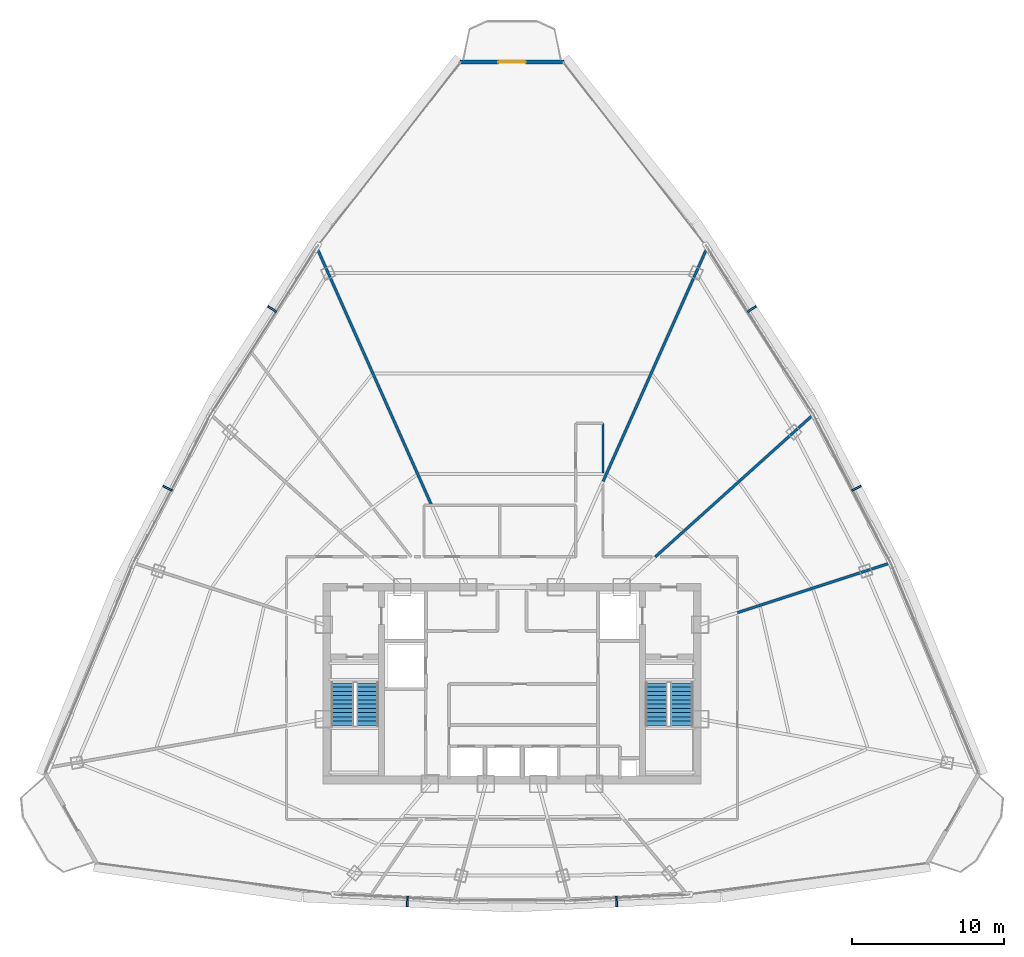
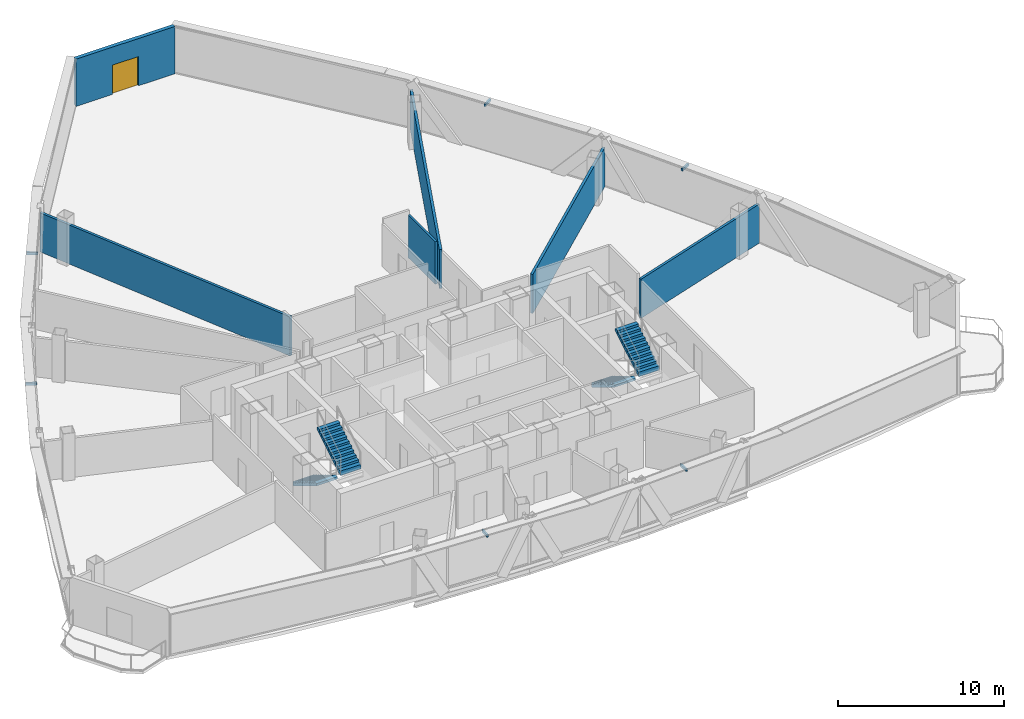
# One storey, part 32 of 35: 6 discrete accessories, 6 walls, 4 stair flights, 1 door, 1 opening, 2 elements without a shape of their own.
"""IFC4 building model written with IfcOpenShell, lengths in metres."""

import ifcopenshell
import ifcopenshell.guid

model = None  # the IFC model being written
_history = None  # IfcOwnerHistory: only IFC2X3 demands one
_inside = {}  # id of a spatial element -> (the spatial element, [elements in it])
_under = {}  # id of a project, library or spatial element -> (it, [spatial elements below it])
_declared = {}  # id of a project -> (the project, [libraries it declares])
_typed = {}  # id of a type object -> (the type object, [elements of that type])
_made_of = {}  # id of a material, layer set ... -> (it, [elements and type objects made of it])


def new_model(schema):
    """Start an empty IFC model of exactly this schema.

    Asked for "IFC4X3", IfcOpenShell would pick the latest addendum, in which some entities
    have other attributes; the version numbers below select the first issue.
    IFC2X3 requires an IfcOwnerHistory on every rooted entity: one is made here for all.
    """
    global model, _history
    if schema == "IFC4X3":
        model = ifcopenshell.file(schema_version=(4, 3, 0, 0))
    else:
        model = ifcopenshell.file(schema=schema)
    _inside.clear()
    _under.clear()
    _declared.clear()
    _typed.clear()
    _made_of.clear()
    _history = None
    if model.schema == "IFC2X3":
        org = make("IfcOrganization", Name="unknown")
        user = make(
            "IfcPersonAndOrganization",
            ThePerson=make("IfcPerson", FamilyName="unknown"),
            TheOrganization=org,
        )
        app = make(
            "IfcApplication",
            ApplicationDeveloper=org,
            Version="unknown",
            ApplicationFullName="unknown",
            ApplicationIdentifier="unknown",
        )
        _history = make(
            "IfcOwnerHistory",
            OwningUser=user,
            OwningApplication=app,
            ChangeAction="ADDED",
            CreationDate=0,
        )
    return model


def make(cls, **values):
    """One entity of the class cls with the attributes given. An attribute that is None is left unset."""
    return model.create_entity(
        cls, **{name: value for name, value in values.items() if value is not None}
    )


def rooted(cls, **values):
    """An entity with a GlobalId (a new one), such as an element, a storey or a relation."""
    return make(cls, GlobalId=ifcopenshell.guid.new(), OwnerHistory=_history, **values)


def si_unit(unit_type, name, prefix=None):
    """IfcSIUnit, for example si_unit("LENGTHUNIT", "METRE", prefix="MILLI")."""
    return make("IfcSIUnit", UnitType=unit_type, Prefix=prefix, Name=name)


def assignment(units):
    """IfcUnitAssignment: the units of a project."""
    return None if units is None else make("IfcUnitAssignment", Units=units)


def point(xyz):
    """IfcCartesianPoint."""
    return None if xyz is None else make("IfcCartesianPoint", Coordinates=xyz)


def direction(xyz):
    """IfcDirection."""
    return None if xyz is None else make("IfcDirection", DirectionRatios=xyz)


def frame(location, z_axis=None, x_axis=None):
    """IfcAxis2Placement3D, a coordinate frame: its origin and axes. An axis left out is left unset."""
    return make(
        "IfcAxis2Placement3D",
        Location=point(location),
        Axis=direction(z_axis),
        RefDirection=direction(x_axis),
    )


def frame_2d(location, x_axis=None):
    """IfcAxis2Placement2D, a coordinate frame in the plane: its origin and x axis."""
    return make(
        "IfcAxis2Placement2D", Location=point(location), RefDirection=direction(x_axis)
    )


def origin():
    """The frame at (0, 0, 0) with its axes left unset."""
    return frame((0.0, 0.0, 0.0))


def origin_with_axes():
    """The frame at (0, 0, 0) with the z axis (0, 0, 1) and the x axis (1, 0, 0) written out."""
    return frame((0.0, 0.0, 0.0), z_axis=(0.0, 0.0, 1.0), x_axis=(1.0, 0.0, 0.0))


def origin_2d():
    """The frame at (0, 0) in the plane with its x axis left unset."""
    return frame_2d((0.0, 0.0))


def place(relative_to, where):
    """IfcLocalPlacement: puts the frame where relative to a parent placement (None: the world)."""
    return make(
        "IfcLocalPlacement", PlacementRelTo=relative_to, RelativePlacement=where
    )


def context(
    kind, dimensions, precision=None, world=None, true_north=None, identifier=None
):
    """IfcGeometricRepresentationContext, for example the 3D "Model" context."""
    return make(
        "IfcGeometricRepresentationContext",
        ContextIdentifier=identifier,
        ContextType=kind,
        CoordinateSpaceDimension=dimensions,
        Precision=precision,
        WorldCoordinateSystem=world,
        TrueNorth=true_north,
    )


def subcontext(parent, identifier, kind, view, scale=None):
    """IfcGeometricRepresentationSubContext, for example "Body" below "Model"."""
    return make(
        "IfcGeometricRepresentationSubContext",
        ContextIdentifier=identifier,
        ContextType=kind,
        ParentContext=parent,
        TargetScale=scale,
        TargetView=view,
    )


def project(units=None, contexts=None):
    """IfcProject with its units and contexts."""
    return rooted(
        "IfcProject",
        Name="project",
        RepresentationContexts=contexts,
        UnitsInContext=assignment(units),
    )


def spatial(cls, under=None, at=None, **own):
    """A site, building, storey or space (cls), placed at a placement, below another one or the project."""
    s = rooted(cls, ObjectPlacement=at, **own)
    if under is not None:
        _under.setdefault(under.id(), (under, []))[1].append(s)
    return s


def polyline(points):
    """IfcPolyline through the points."""
    return make("IfcPolyline", Points=[point(p) for p in points])


def profile(cls, at=None, kind="AREA", **sizes):
    """A parametric profile (cls). Its sizes go by their IFC names, for example OverallWidth=200.0."""
    return make(cls, ProfileType=kind, Position=at, **sizes)


def rectangle(**sizes):
    """IfcRectangleProfileDef."""
    return profile("IfcRectangleProfileDef", **sizes)


def outline(outer, holes=None, kind="AREA"):
    """IfcArbitraryClosedProfileDef: a profile drawn as a closed curve; with holes, ...WithVoids."""
    if holes is None:
        return make("IfcArbitraryClosedProfileDef", ProfileType=kind, OuterCurve=outer)
    return make(
        "IfcArbitraryProfileDefWithVoids",
        ProfileType=kind,
        OuterCurve=outer,
        InnerCurves=holes,
    )


def extrude(swept, where, along, depth):
    """IfcExtrudedAreaSolid: the profile swept, set in the frame where, extruded along a direction by depth."""
    return make(
        "IfcExtrudedAreaSolid",
        SweptArea=swept,
        Position=where,
        ExtrudedDirection=direction(along),
        Depth=depth,
    )


def shape(context_of_items, identifier, shape_type, items):
    """IfcShapeRepresentation: the items that make up one representation, for example the "Body"."""
    return make(
        "IfcShapeRepresentation",
        ContextOfItems=context_of_items,
        RepresentationIdentifier=identifier,
        RepresentationType=shape_type,
        Items=items,
    )


def source(mapping_origin, context_of_items, identifier, shape_type, items):
    """IfcRepresentationMap: a shape defined once, which mapped items show again and again."""
    return make(
        "IfcRepresentationMap",
        MappingOrigin=mapping_origin,
        MappedRepresentation=shape(context_of_items, identifier, shape_type, items),
    )


def transform(
    local_origin,
    x_axis=None,
    y_axis=None,
    z_axis=None,
    scale=None,
    scale2=None,
    scale3=None,
    uniform=True,
):
    """IfcCartesianTransformationOperator3D, or its non-uniform kind. x_axis, y_axis, z_axis: its Axis1, 2, 3."""
    if uniform:
        return make(
            "IfcCartesianTransformationOperator3D",
            Axis1=direction(x_axis),
            Axis2=direction(y_axis),
            LocalOrigin=point(local_origin),
            Scale=scale,
            Axis3=direction(z_axis),
        )
    return make(
        "IfcCartesianTransformationOperator3DnonUniform",
        Axis1=direction(x_axis),
        Axis2=direction(y_axis),
        LocalOrigin=point(local_origin),
        Scale=scale,
        Axis3=direction(z_axis),
        Scale2=scale2,
        Scale3=scale3,
    )


def mapped(mapping_source, mapping_target):
    """IfcMappedItem: shows the shape of a source again, moved by a transform."""
    return make(
        "IfcMappedItem", MappingSource=mapping_source, MappingTarget=mapping_target
    )


def material(Name=None, Category=None):
    """IfcMaterial."""
    return make("IfcMaterial", Name=Name, Category=Category)


def layer(
    of_material, thickness, ventilated=None, Name=None, Category=None, Priority=None
):
    """IfcMaterialLayer: one layer of a wall or slab, of a material (None: an air gap)."""
    return make(
        "IfcMaterialLayer",
        Material=of_material,
        LayerThickness=thickness,
        IsVentilated=ventilated,
        Name=Name,
        Category=Category,
        Priority=Priority,
    )


def layer_set(layers, Name=None):
    """IfcMaterialLayerSet."""
    return make("IfcMaterialLayerSet", MaterialLayers=layers, LayerSetName=Name)


def made_of(thing, what):
    """Note that an element or type object is made of a material, layer set ...; save() writes the relation."""
    if what is not None:
        _made_of.setdefault(what.id(), (what, []))[1].append(thing)
    return thing


def type_object(cls, material=None, **own):
    """A type object (cls), such as IfcWallType, which elements share."""
    return made_of(rooted(cls, **own), material)


def element(
    cls,
    number,
    at=None,
    inside=None,
    cuts=None,
    type_object=None,
    material=None,
    context=None,
    identifier="Body",
    shape_type=None,
    held_by="IfcProductDefinitionShape",
    body=None,
    shapes=None,
    **own,
):
    """One element of the class cls, such as IfcWall. Its Tag is "e" and its number.

    at: its placement. inside: the storey or other place that contains it. cuts: it is an
    opening in that element (IfcRelVoidsElement). A single representation is given by context,
    identifier, shape_type and body (its items); several are given by shapes. held_by: the class
    of the entity that holds the representations. save() writes the other relations.
    """
    e = rooted(cls, Tag="e%d" % number, ObjectPlacement=at, **own)
    if body is not None:
        shapes = [shape(context, identifier, shape_type, body)]
    if shapes is not None:
        e.Representation = make(held_by, Representations=shapes)
    if inside is not None:
        _inside.setdefault(inside.id(), (inside, []))[1].append(e)
    if cuts is not None:
        rooted(
            "IfcRelVoidsElement", RelatingBuildingElement=cuts, RelatedOpeningElement=e
        )
    if type_object is not None:
        _typed.setdefault(type_object.id(), (type_object, []))[1].append(e)
    return made_of(e, material)


def fill(opening, filler):
    """IfcRelFillsElement: the door or window that sits in an opening."""
    return rooted(
        "IfcRelFillsElement",
        RelatingOpeningElement=opening,
        RelatedBuildingElement=filler,
    )


def aggregate(whole, parts):
    """IfcRelAggregates: a whole, such as a stair, and the parts it consists of."""
    return rooted("IfcRelAggregates", RelatingObject=whole, RelatedObjects=parts)


def save(model, path):
    """Write the relations noted so far, then the file.

    IfcRelAggregates (storeys below a building ...), IfcRelContainedInSpatialStructure (elements
    in a storey), IfcRelDefinesByType, IfcRelAssociatesMaterial and IfcRelDeclares: one each for
    every whole, place, type object, material and project.
    """
    for whole, parts in _under.values():
        aggregate(whole, parts)
    for where, things in _inside.values():
        rooted(
            "IfcRelContainedInSpatialStructure",
            RelatedElements=things,
            RelatingStructure=where,
        )
    for kind, things in _typed.values():
        rooted("IfcRelDefinesByType", RelatedObjects=things, RelatingType=kind)
    for what, things in _made_of.values():
        rooted("IfcRelAssociatesMaterial", RelatedObjects=things, RelatingMaterial=what)
    for by, libraries in _declared.values():
        rooted("IfcRelDeclares", RelatingContext=by, RelatedDefinitions=libraries)
    model.write(path)


model = new_model("IFC4")

# Units and contexts
model_context = context("Model", 3, precision=1e-05, world=origin(), true_north=direction((0.0, 1.0)))
body_context = subcontext(model_context, "Body", "Model", "MODEL_VIEW")
ifc_project = project(units=[si_unit("LENGTHUNIT", "METRE"), si_unit("AREAUNIT", "SQUARE_METRE"), si_unit("VOLUMEUNIT", "CUBIC_METRE"), si_unit("PLANEANGLEUNIT", "RADIAN"), si_unit("MASSUNIT", "GRAM", prefix="KILO"), si_unit("THERMODYNAMICTEMPERATUREUNIT", "KELVIN"), si_unit("POWERUNIT", "WATT")], contexts=[model_context])

# Site, building, storey
site_placement = place(None, origin())
site = spatial("IfcSite", under=ifc_project, at=site_placement, CompositionType="ELEMENT")
building_placement = place(site_placement, origin())
building = spatial("IfcBuilding", under=site, at=building_placement, Name="Yunzhuo Pagoda Commons", CompositionType="ELEMENT")
storey_placement = place(building_placement, frame((0.0, 0.0, 299.93994140625)))
storey = spatial("IfcBuildingStorey", under=building, at=storey_placement, Name="L75", CompositionType="ELEMENT", Elevation=299.93994140625)

# Wall, opening, door
ifc_material_1 = material(Name="Precast concrete C40", Category="concrete")
ifc_layer_1 = layer(ifc_material_1, 0.260009765625)
ifc_layer_set_1 = layer_set([ifc_layer_1], Name="Precast concrete C40")
wall_type_1 = type_object("IfcWallType", Name="W-BAL1 Corner Balcony Threshold Wall 260", PredefinedType="STANDARD", material=ifc_layer_set_1)
wall_1_placement = place(storey_placement, frame((51.437744140625, 74.7880859375, 0.0), z_axis=(0.0, 0.0, 1.0), x_axis=(-1.0, 0.0, 0.0)))
wall_1 = element("IfcWall", 1, at=wall_1_placement, inside=storey, type_object=wall_type_1, Name="L75 corner balcony wall V3", PredefinedType="STANDARD", context=body_context, shape_type="SweptSolid", body=[
    extrude(rectangle(XDim=6.87548828125, YDim=0.260009765625, at=frame_2d((3.437744140625, 0.0))), origin(), (0.0, 0.0, 1.0), 3.469970703125),
])
opening_placement = place(wall_1_placement, frame((2.537841796875, 0.0, 0.0)))
opening = element("IfcOpeningElement", 2, at=opening_placement, cuts=wall_1, Name="Opening D-BAL1", PredefinedType="OPENING", context=body_context, shape_type="SweptSolid", body=[
    extrude(rectangle(XDim=1.800048828125, YDim=2.14990234375, at=frame_2d((0.89990234375, 1.074951171875))), frame((0.0, 0.14013671875, 0.0), z_axis=(0.0, -1.0, 0.0), x_axis=(1.0, 0.0, 0.0)), (0.0, 0.0, 1.0), 0.280029296875),
])
ifc_material_2 = material(Name="Anodized aluminium frame and tempered glazed leaf", Category="aluminium")
door_type = type_object("IfcDoorType", Name="D-BAL1 Corner Balcony Sliding Glazed Door 1800x2150", OperationType="DOUBLE_DOOR_SLIDING", PredefinedType="DOOR", material=ifc_material_2)
shared_shape_1 = source(origin(), body_context, "Body", "SweptSolid", [
    extrude(rectangle(XDim=1.800048828125, YDim=2.14990234375, at=frame_2d((0.89990234375, 1.074951171875))), frame((0.0, 0.02490234375, 0.0), z_axis=(0.0, -1.0, 0.0), x_axis=(1.0, 0.0, 0.0)), (0.0, 0.0, 1.0), 0.050048828125),
])
door_placement = place(opening_placement, origin_with_axes())
door = element("IfcDoor", 3, at=door_placement, inside=storey, type_object=door_type, Name="L75 corner balcony sliding door V3", OperationType="DOUBLE_DOOR_SLIDING", OverallHeight=2.14990234375, OverallWidth=1.800048828125, PredefinedType="DOOR", context=body_context, shape_type="MappedRepresentation", body=[
    mapped(shared_shape_1, transform((0.0, 0.0, 0.0), scale=1.0)),
])
fill(opening, door)

# Walls
ifc_material_3 = material(Name="Gypsum plasterboard on acoustic stud")
ifc_layer_2 = layer(ifc_material_3, 0.14990234375)
ifc_layer_set_2 = layer_set([ifc_layer_2], Name="Gypsum plasterboard on acoustic stud")
wall_type_2 = type_object("IfcWallType", Name="W-COR3 High-Zone Rated Corridor Wall 150", PredefinedType="PARTITIONING", material=ifc_layer_set_2)
wall_2_placement = place(storey_placement, frame((54.0, 51.0, 0.0), z_axis=(0.0, 0.0, 1.0), x_axis=(0.0, -1.0, 0.0)))
element("IfcWall", 4, at=wall_2_placement, inside=storey, type_object=wall_type_2, Name="L75 interior wall IW-L75-CWL09", PredefinedType="PARTITIONING", context=body_context, shape_type="SweptSolid", body=[
    extrude(rectangle(XDim=3.282958984375, YDim=0.14990234375, at=frame_2d((1.6416015625, 0.0))), origin(), (0.0, 0.0, 1.0), 3.1201171875),
])
ifc_layer_3 = layer(ifc_material_3, 0.169921875)
ifc_layer_set_3 = layer_set([ifc_layer_3], Name="Gypsum plasterboard on acoustic stud")
wall_type_3 = type_object("IfcWallType", Name="W-PRT4 High-Zone Demising Wall 170", PredefinedType="PARTITIONING", material=ifc_layer_set_3)
wall_3_placement = place(storey_placement, frame((62.85009765625, 38.525146484375, 0.0), z_axis=(0.0, 0.0, 1.0), x_axis=(0.951060589798, 0.309004457141, 0.0)))
element("IfcWall", 5, at=wall_3_placement, inside=storey, type_object=wall_type_3, Name="L75 interior wall IW-L75-RAD01", PredefinedType="PARTITIONING", context=body_context, shape_type="SweptSolid", body=[
    extrude(rectangle(XDim=10.61962890625, YDim=0.169921875, at=frame_2d((5.309814453125, 0.0))), origin(), (0.0, 0.0, 1.0), 2.8701171875),
])
wall_4_placement = place(storey_placement, frame((57.440185546875, 42.199951171875, 0.0), z_axis=(0.0, 0.0, 1.0), x_axis=(0.74314439151, 0.669131088329, 0.0)))
element("IfcWall", 6, at=wall_4_placement, inside=storey, type_object=wall_type_3, Name="L75 interior wall IW-L75-RAD02", PredefinedType="PARTITIONING", context=body_context, shape_type="SweptSolid", body=[
    extrude(rectangle(XDim=14.025634765625, YDim=0.169921875, at=frame_2d((7.0126953125, 0.0))), origin(), (0.0, 0.0, 1.0), 2.8701171875),
])
wall_5_placement = place(storey_placement, frame((54.0, 47.17626953125, 0.0), z_axis=(0.0, 0.0, 1.0), x_axis=(0.406741029061, 0.913543504863, 0.0)))
element("IfcWall", 7, at=wall_5_placement, inside=storey, type_object=wall_type_3, Name="L75 interior wall IW-L75-RAD03", PredefinedType="PARTITIONING", context=body_context, shape_type="SweptSolid", body=[
    extrude(rectangle(XDim=16.876953125, YDim=0.169921875, at=frame_2d((8.4384765625, 0.0))), origin(), (0.0, 0.0, 1.0), 2.8701171875),
])
wall_6_placement = place(storey_placement, frame((42.701904296875, 45.60009765625, 0.0), z_axis=(0.0, 0.0, 1.0), x_axis=(-0.406747233578, 0.913540742374, 0.0)))
element("IfcWall", 8, at=wall_6_placement, inside=storey, type_object=wall_type_3, Name="L75 interior wall IW-L75-RAD04", PredefinedType="PARTITIONING", context=body_context, shape_type="SweptSolid", body=[
    extrude(rectangle(XDim=18.602294921875, YDim=0.169921875, at=frame_2d((9.30126953125, 0.0))), origin(), (0.0, 0.0, 1.0), 2.8701171875),
])

# Stair, stair flights
ifc_material_4 = material(Name="Concrete C40", Category="concrete")
stair_type_1 = type_object("IfcStairType", Name="ST-C1 Core Smokeproof Stair ST1", PredefinedType="HALF_TURN_STAIR", material=ifc_material_4)
stair_1_placement = place(storey_placement, origin())
stair_1 = element("IfcStair", 9, at=stair_1_placement, inside=storey, type_object=stair_type_1, Name="L75 Core smokeproof stair ST1", PredefinedType="HALF_TURN_STAIR")
stair_flight_type_1 = type_object("IfcStairFlightType", Name="STF-C1 Core Stair Flight 1450", PredefinedType="STRAIGHT", material=ifc_material_4)
shared_shape_2 = source(origin(), body_context, "Body", "SweptSolid", [
    extrude(outline(polyline([(0.0, -0.14990234375), (0.0, 0.0), (0.0, 0.16943359375), (0.280029296875, 0.16943359375), (0.280029296875, 0.339111328125), (0.56005859375, 0.339111328125), (0.56005859375, 0.508544921875), (0.840087890625, 0.508544921875), (0.840087890625, 0.67822265625), (1.1201171875, 0.67822265625), (1.1201171875, 0.84765625), (1.39990234375, 0.84765625), (1.39990234375, 1.017333984375), (1.679931640625, 1.017333984375), (1.679931640625, 1.186767578125), (1.9599609375, 1.186767578125), (1.9599609375, 1.3564453125), (2.239990234375, 1.3564453125), (2.239990234375, 1.52587890625), (2.52001953125, 1.52587890625), (2.52001953125, 1.695556640625), (2.800048828125, 1.695556640625), (2.800048828125, 1.864990234375), (2.800048828125, 1.520263671875), (0.289306640625, 0.0), (0.050048828125, -0.14990234375), (0.0, -0.14990234375)])), frame((0.0, 0.72509765625, 0.0), z_axis=(0.0, -1.0, 0.0), x_axis=(1.0, 0.0, 0.0)), (0.0, 0.0, 1.0), 1.449951171875),
])
stair_flight_1_placement = place(storey_placement, frame((36.824951171875, 33.89990234375, 0.0), z_axis=(0.0, 0.0, 1.0), x_axis=(0.0, -1.0, 0.0)))
stair_flight_1 = element("IfcStairFlight", 10, at=stair_flight_1_placement, type_object=stair_flight_type_1, Name="ST1 flight 1", NumberOfRisers=11, NumberOfTreads=10, PredefinedType="STRAIGHT", RiserHeight=0.169545455, TreadLength=0.28, context=body_context, shape_type="MappedRepresentation", body=[
    mapped(shared_shape_2, transform((0.0, 0.0, 0.0), scale=1.0)),
])
stair_flight_2_placement = place(storey_placement, frame((38.47509765625, 31.10009765625, 1.864990234375), z_axis=(0.0, 0.0, 1.0), x_axis=(0.0, 1.0, 0.0)))
stair_flight_2 = element("IfcStairFlight", 11, at=stair_flight_2_placement, type_object=stair_flight_type_1, Name="ST1 flight 2", NumberOfRisers=11, NumberOfTreads=10, PredefinedType="STRAIGHT", RiserHeight=0.169545455, TreadLength=0.28, context=body_context, shape_type="MappedRepresentation", body=[
    mapped(shared_shape_2, transform((0.0, 0.0, 0.0), scale=1.0)),
])
aggregate(stair_1, [stair_flight_1, stair_flight_2])

stair_type_2 = type_object("IfcStairType", Name="ST-C2 Core Smokeproof Stair ST2", PredefinedType="HALF_TURN_STAIR", material=ifc_material_4)
stair_2_placement = place(storey_placement, origin())
stair_2 = element("IfcStair", 12, at=stair_2_placement, inside=storey, type_object=stair_type_2, Name="L75 Core smokeproof stair ST2", PredefinedType="HALF_TURN_STAIR")
stair_flight_type_2 = type_object("IfcStairFlightType", Name="STF-C2 Core Stair Flight 1460", PredefinedType="STRAIGHT", material=ifc_material_4)
stair_flight_3_placement = place(storey_placement, frame((57.52490234375, 33.89990234375, 0.0), z_axis=(0.0, 0.0, 1.0), x_axis=(0.0, -1.0, 0.0)))
stair_flight_3 = element("IfcStairFlight", 13, at=stair_flight_3_placement, type_object=stair_flight_type_2, Name="ST2 flight 1", NumberOfRisers=11, NumberOfTreads=10, PredefinedType="STRAIGHT", RiserHeight=0.169545455, TreadLength=0.28, context=body_context, shape_type="MappedRepresentation", body=[
    mapped(shared_shape_2, transform((0.0, 0.0, 0.0), scale=1.0)),
])
stair_flight_4_placement = place(storey_placement, frame((59.175048828125, 31.10009765625, 1.864990234375), z_axis=(0.0, 0.0, 1.0), x_axis=(0.0, 1.0, 0.0)))
stair_flight_4 = element("IfcStairFlight", 14, at=stair_flight_4_placement, type_object=stair_flight_type_2, Name="ST2 flight 2", NumberOfRisers=11, NumberOfTreads=10, PredefinedType="STRAIGHT", RiserHeight=0.169545455, TreadLength=0.28, context=body_context, shape_type="MappedRepresentation", body=[
    mapped(shared_shape_2, transform((0.0, 0.0, 0.0), scale=1.0)),
])
aggregate(stair_2, [stair_flight_3, stair_flight_4])

# Discrete accessories
ifc_material_5 = material(Name="Anodized aluminium 6063-T6", Category="aluminium")
discrete_accessory_type = type_object("IfcDiscreteAccessoryType", Name="BK-SUN1 Sunshade Outrigger Bracket", PredefinedType="BRACKET", material=ifc_material_5)
shared_shape_3 = source(origin(), body_context, "Body", "SweptSolid", [
    extrude(rectangle(XDim=0.1201171875, YDim=0.679931640625, at=origin_2d()), origin(), (0.0, 0.0, 1.0), 0.179931640625),
])
for number, where, z_axis, x_axis, name in (
    (15, (41.108642578125, 19.49169921875, 3.26025390625), (0.0, 0.0, 1.0), (0.998818043775, -0.04860571396, 0.0), "L75 sunshade outrigger bracket F1.2"),
    (16, (54.891357421875, 19.49169921875, 3.26025390625), (0.0, 0.0, 1.0), (0.998818043775, 0.04860571396, 0.0), "L75 sunshade outrigger bracket F1.3"),
    (17, (70.694091796875, 46.71923828125, 3.26025390625), (0.0, 0.0, 1.0), (-0.461206683033, 0.88729273384, 0.0), "L75 sunshade outrigger bracket F2.2"),
    (18, (63.802490234375, 58.525390625, 3.26025390625), (0.0, 0.0, 1.0), (-0.545853380833, 0.837880711458, 0.0), "L75 sunshade outrigger bracket F2.3"),
    (19, (32.197509765625, 58.525390625, 3.26025390625), (0.0, 0.0, 1.0), (-0.545853380833, -0.837880711458, 0.0), "L75 sunshade outrigger bracket F3.2"),
    (20, (25.305908203125, 46.71923828125, 3.26025390625), (0.0, 0.0, 1.0), (-0.461206683033, -0.88729273384, 0.0), "L75 sunshade outrigger bracket F3.3"),
):
    element("IfcDiscreteAccessory", number, at=place(storey_placement, frame(where, z_axis=z_axis, x_axis=x_axis)), inside=storey, type_object=discrete_accessory_type, Name=name, PredefinedType="BRACKET", context=body_context, shape_type="MappedRepresentation", body=[
        mapped(shared_shape_3, transform((0.0, 0.0, 0.0), scale=1.0)),
    ])

save(model, "model.ifc")
